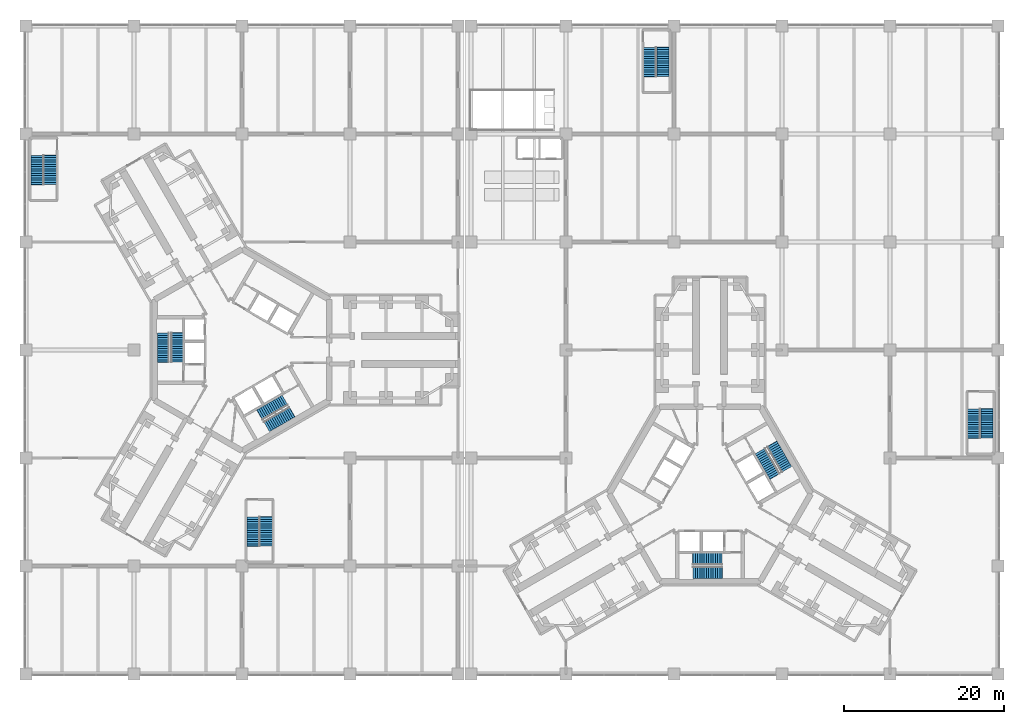
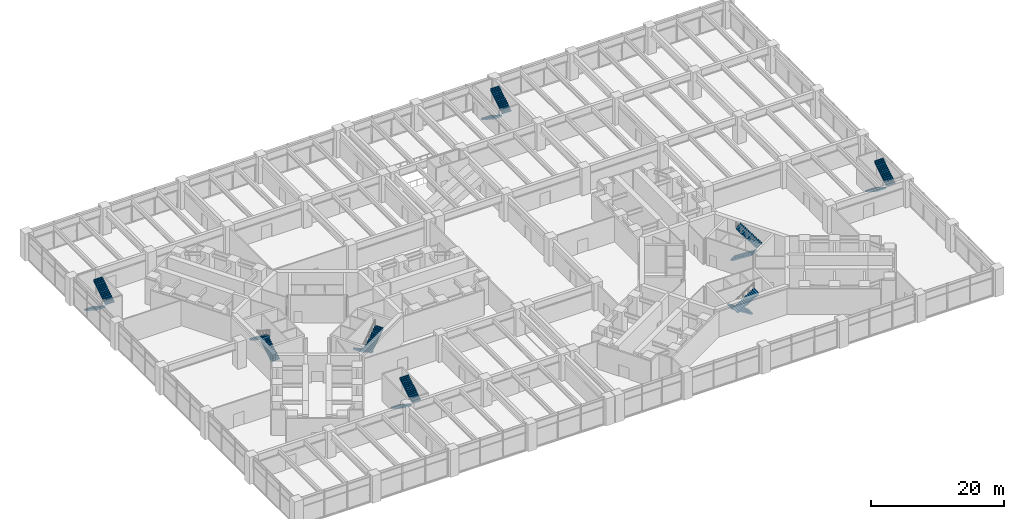
# One storey, part 29 of 32: 16 stair flights, 8 elements without a shape of their own.
"""IFC4 building model written with IfcOpenShell, lengths in metres."""

from ifc_helpers import new_model, si_unit, direction, frame, origin, place, context, subcontext, project, spatial, polyline, outline, extrude, material, type_object, element, aggregate, save


model = new_model("IFC4")

# Units and contexts
model_context = context("Model", 3, precision=1e-05, world=origin(), true_north=direction((0.0, 1.0)))
body_context = subcontext(model_context, "Body", "Model", "MODEL_VIEW")
ifc_project = project(units=[si_unit("LENGTHUNIT", "METRE"), si_unit("AREAUNIT", "SQUARE_METRE"), si_unit("VOLUMEUNIT", "CUBIC_METRE"), si_unit("PLANEANGLEUNIT", "RADIAN"), si_unit("MASSUNIT", "GRAM", prefix="KILO")], contexts=[model_context])

# Site, building, storey
site_placement = place(None, origin())
site = spatial("IfcSite", under=ifc_project, at=site_placement, CompositionType="ELEMENT")
building_placement = place(site_placement, origin())
building = spatial("IfcBuilding", under=site, at=building_placement, Name="Upepo Twin Towers", CompositionType="ELEMENT")
storey_placement = place(building_placement, frame((0.0, 0.0, 10.5)))
storey = spatial("IfcBuildingStorey", under=building, at=storey_placement, Name="L02", CompositionType="ELEMENT", Elevation=10.5)

# Stair, stair flights
ifc_material_1 = material(Name="Concrete C40/50", Category="concrete")
stair_type_1 = type_object("IfcStairType", Name="Podium stair, two flights", PredefinedType="HALF_TURN_STAIR", material=ifc_material_1)
stair_1_placement = place(storey_placement, origin())
stair_1 = element("IfcStair", 1, at=stair_1_placement, inside=storey, type_object=stair_type_1, Name="Podium stair PS1 L02", PredefinedType="HALF_TURN_STAIR")
ifc_material_2 = material(Name="Concrete C40/50", Category="concrete")
stair_flight_type_1 = type_object("IfcStairFlightType", Name="Podium stair flight 1550 RC", PredefinedType="STRAIGHT", material=ifc_material_2)
stair_flight_1_placement = place(storey_placement, frame((-25.625, 24.320068359375, 0.0), z_axis=(0.0, 0.0, 1.0), x_axis=(0.0, -1.0, 0.0)))
stair_flight_1 = element("IfcStairFlight", 2, at=stair_flight_1_placement, type_object=stair_flight_type_1, Name="Stair PS1 flight 1", NumberOfRisers=14, NumberOfTreads=13, PredefinedType="STRAIGHT", RiserHeight=0.178571429, TreadLength=0.28, context=body_context, shape_type="SweptSolid", body=[
    extrude(outline(polyline([(0.0, 0.0), (0.0, 0.178466796875), (0.280029296875, 0.178466796875), (0.280029296875, 0.357177734375), (0.56005859375, 0.357177734375), (0.56005859375, 0.53564453125), (0.840087890625, 0.53564453125), (0.840087890625, 0.71435546875), (1.1201171875, 0.71435546875), (1.1201171875, 0.892822265625), (1.39990234375, 0.892822265625), (1.39990234375, 1.071533203125), (1.679931640625, 1.071533203125), (1.679931640625, 1.25), (1.9599609375, 1.25), (1.9599609375, 1.428466796875), (2.239990234375, 1.428466796875), (2.239990234375, 1.607177734375), (2.52001953125, 1.607177734375), (2.52001953125, 1.78564453125), (2.800048828125, 1.78564453125), (2.800048828125, 1.96435546875), (3.080078125, 1.96435546875), (3.080078125, 2.142822265625), (3.360107421875, 2.142822265625), (3.360107421875, 2.321533203125), (3.639892578125, 2.321533203125), (3.639892578125, 2.5), (3.68994140625, 2.5), (3.68994140625, 2.1435546875), (0.328857421875, 0.0), (0.0, 0.0)])), frame((0.0, 0.77490234375, 0.0), z_axis=(0.0, -1.0, 0.0), x_axis=(1.0, 0.0, 0.0)), (0.0, 0.0, 1.0), 1.550048828125),
])
stair_flight_2_placement = place(storey_placement, frame((-23.97509765625, 20.679931640625, 2.5), z_axis=(0.0, 0.0, 1.0), x_axis=(0.0, 1.0, 0.0)))
stair_flight_2 = element("IfcStairFlight", 3, at=stair_flight_2_placement, type_object=stair_flight_type_1, Name="Stair PS1 flight 2", NumberOfRisers=14, NumberOfTreads=13, PredefinedType="STRAIGHT", RiserHeight=0.178571429, TreadLength=0.28, context=body_context, shape_type="SweptSolid", body=[
    extrude(outline(polyline([(0.0, 0.0), (0.0, 0.178466796875), (0.280029296875, 0.178466796875), (0.280029296875, 0.357177734375), (0.56005859375, 0.357177734375), (0.56005859375, 0.53564453125), (0.840087890625, 0.53564453125), (0.840087890625, 0.71435546875), (1.1201171875, 0.71435546875), (1.1201171875, 0.892822265625), (1.39990234375, 0.892822265625), (1.39990234375, 1.071533203125), (1.679931640625, 1.071533203125), (1.679931640625, 1.25), (1.9599609375, 1.25), (1.9599609375, 1.428466796875), (2.239990234375, 1.428466796875), (2.239990234375, 1.607177734375), (2.52001953125, 1.607177734375), (2.52001953125, 1.78564453125), (2.800048828125, 1.78564453125), (2.800048828125, 1.96435546875), (3.080078125, 1.96435546875), (3.080078125, 2.142822265625), (3.360107421875, 2.142822265625), (3.360107421875, 2.321533203125), (3.639892578125, 2.321533203125), (3.639892578125, 2.5), (3.68994140625, 2.5), (3.68994140625, 2.1435546875), (0.328857421875, 0.0), (0.0, 0.0)])), frame((0.0, 0.77490234375, 0.0), z_axis=(0.0, -1.0, 0.0), x_axis=(1.0, 0.0, 0.0)), (0.0, 0.0, 1.0), 1.550048828125),
])
aggregate(stair_1, [stair_flight_1, stair_flight_2])

stair_2_placement = place(storey_placement, origin())
stair_2 = element("IfcStair", 4, at=stair_2_placement, inside=storey, type_object=stair_type_1, Name="Podium stair PS2 L02", PredefinedType="HALF_TURN_STAIR")
stair_flight_3_placement = place(storey_placement, frame((91.47509765625, -7.3798828125, 0.0), z_axis=(0.0, 0.0, 1.0), x_axis=(0.0, -1.0, 0.0)))
stair_flight_3 = element("IfcStairFlight", 5, at=stair_flight_3_placement, type_object=stair_flight_type_1, Name="Stair PS2 flight 1", NumberOfRisers=14, NumberOfTreads=13, PredefinedType="STRAIGHT", RiserHeight=0.178571429, TreadLength=0.28, context=body_context, shape_type="SweptSolid", body=[
    extrude(outline(polyline([(0.0, 0.0), (0.0, 0.178466796875), (0.280029296875, 0.178466796875), (0.280029296875, 0.357177734375), (0.56005859375, 0.357177734375), (0.56005859375, 0.53564453125), (0.840087890625, 0.53564453125), (0.840087890625, 0.71435546875), (1.1201171875, 0.71435546875), (1.1201171875, 0.892822265625), (1.39990234375, 0.892822265625), (1.39990234375, 1.071533203125), (1.679931640625, 1.071533203125), (1.679931640625, 1.25), (1.9599609375, 1.25), (1.9599609375, 1.428466796875), (2.239990234375, 1.428466796875), (2.239990234375, 1.607177734375), (2.52001953125, 1.607177734375), (2.52001953125, 1.78564453125), (2.800048828125, 1.78564453125), (2.800048828125, 1.96435546875), (3.080078125, 1.96435546875), (3.080078125, 2.142822265625), (3.360107421875, 2.142822265625), (3.360107421875, 2.321533203125), (3.639892578125, 2.321533203125), (3.639892578125, 2.5), (3.68994140625, 2.5), (3.68994140625, 2.1435546875), (0.328857421875, 0.0), (0.0, 0.0)])), frame((0.0, 0.77490234375, 0.0), z_axis=(0.0, -1.0, 0.0), x_axis=(1.0, 0.0, 0.0)), (0.0, 0.0, 1.0), 1.550048828125),
])
stair_flight_4_placement = place(storey_placement, frame((93.125, -11.02001953125, 2.5), z_axis=(0.0, 0.0, 1.0), x_axis=(0.0, 1.0, 0.0)))
stair_flight_4 = element("IfcStairFlight", 6, at=stair_flight_4_placement, type_object=stair_flight_type_1, Name="Stair PS2 flight 2", NumberOfRisers=14, NumberOfTreads=13, PredefinedType="STRAIGHT", RiserHeight=0.178571429, TreadLength=0.28, context=body_context, shape_type="SweptSolid", body=[
    extrude(outline(polyline([(0.0, 0.0), (0.0, 0.178466796875), (0.280029296875, 0.178466796875), (0.280029296875, 0.357177734375), (0.56005859375, 0.357177734375), (0.56005859375, 0.53564453125), (0.840087890625, 0.53564453125), (0.840087890625, 0.71435546875), (1.1201171875, 0.71435546875), (1.1201171875, 0.892822265625), (1.39990234375, 0.892822265625), (1.39990234375, 1.071533203125), (1.679931640625, 1.071533203125), (1.679931640625, 1.25), (1.9599609375, 1.25), (1.9599609375, 1.428466796875), (2.239990234375, 1.428466796875), (2.239990234375, 1.607177734375), (2.52001953125, 1.607177734375), (2.52001953125, 1.78564453125), (2.800048828125, 1.78564453125), (2.800048828125, 1.96435546875), (3.080078125, 1.96435546875), (3.080078125, 2.142822265625), (3.360107421875, 2.142822265625), (3.360107421875, 2.321533203125), (3.639892578125, 2.321533203125), (3.639892578125, 2.5), (3.68994140625, 2.5), (3.68994140625, 2.1435546875), (0.328857421875, 0.0), (0.0, 0.0)])), frame((0.0, 0.77490234375, 0.0), z_axis=(0.0, -1.0, 0.0), x_axis=(1.0, 0.0, 0.0)), (0.0, 0.0, 1.0), 1.550048828125),
])
aggregate(stair_2, [stair_flight_3, stair_flight_4])

stair_3_placement = place(storey_placement, origin())
stair_3 = element("IfcStair", 7, at=stair_3_placement, inside=storey, type_object=stair_type_1, Name="Podium stair PS3 L02", PredefinedType="HALF_TURN_STAIR")
stair_flight_5_placement = place(storey_placement, frame((1.375, -20.8798828125, 0.0), z_axis=(0.0, 0.0, 1.0), x_axis=(0.0, -1.0, 0.0)))
stair_flight_5 = element("IfcStairFlight", 8, at=stair_flight_5_placement, type_object=stair_flight_type_1, Name="Stair PS3 flight 1", NumberOfRisers=14, NumberOfTreads=13, PredefinedType="STRAIGHT", RiserHeight=0.178571429, TreadLength=0.28, context=body_context, shape_type="SweptSolid", body=[
    extrude(outline(polyline([(0.0, 0.0), (0.0, 0.178466796875), (0.280029296875, 0.178466796875), (0.280029296875, 0.357177734375), (0.56005859375, 0.357177734375), (0.56005859375, 0.53564453125), (0.840087890625, 0.53564453125), (0.840087890625, 0.71435546875), (1.1201171875, 0.71435546875), (1.1201171875, 0.892822265625), (1.39990234375, 0.892822265625), (1.39990234375, 1.071533203125), (1.679931640625, 1.071533203125), (1.679931640625, 1.25), (1.9599609375, 1.25), (1.9599609375, 1.428466796875), (2.239990234375, 1.428466796875), (2.239990234375, 1.607177734375), (2.52001953125, 1.607177734375), (2.52001953125, 1.78564453125), (2.800048828125, 1.78564453125), (2.800048828125, 1.96435546875), (3.080078125, 1.96435546875), (3.080078125, 2.142822265625), (3.360107421875, 2.142822265625), (3.360107421875, 2.321533203125), (3.639892578125, 2.321533203125), (3.639892578125, 2.5), (3.68994140625, 2.5), (3.68994140625, 2.1435546875), (0.328857421875, 0.0), (0.0, 0.0)])), frame((0.0, 0.77490234375, 0.0), z_axis=(0.0, -1.0, 0.0), x_axis=(1.0, 0.0, 0.0)), (0.0, 0.0, 1.0), 1.550048828125),
])
stair_flight_6_placement = place(storey_placement, frame((3.02490234375, -24.52001953125, 2.5), z_axis=(0.0, 0.0, 1.0), x_axis=(0.0, 1.0, 0.0)))
stair_flight_6 = element("IfcStairFlight", 9, at=stair_flight_6_placement, type_object=stair_flight_type_1, Name="Stair PS3 flight 2", NumberOfRisers=14, NumberOfTreads=13, PredefinedType="STRAIGHT", RiserHeight=0.178571429, TreadLength=0.28, context=body_context, shape_type="SweptSolid", body=[
    extrude(outline(polyline([(0.0, 0.0), (0.0, 0.178466796875), (0.280029296875, 0.178466796875), (0.280029296875, 0.357177734375), (0.56005859375, 0.357177734375), (0.56005859375, 0.53564453125), (0.840087890625, 0.53564453125), (0.840087890625, 0.71435546875), (1.1201171875, 0.71435546875), (1.1201171875, 0.892822265625), (1.39990234375, 0.892822265625), (1.39990234375, 1.071533203125), (1.679931640625, 1.071533203125), (1.679931640625, 1.25), (1.9599609375, 1.25), (1.9599609375, 1.428466796875), (2.239990234375, 1.428466796875), (2.239990234375, 1.607177734375), (2.52001953125, 1.607177734375), (2.52001953125, 1.78564453125), (2.800048828125, 1.78564453125), (2.800048828125, 1.96435546875), (3.080078125, 1.96435546875), (3.080078125, 2.142822265625), (3.360107421875, 2.142822265625), (3.360107421875, 2.321533203125), (3.639892578125, 2.321533203125), (3.639892578125, 2.5), (3.68994140625, 2.5), (3.68994140625, 2.1435546875), (0.328857421875, 0.0), (0.0, 0.0)])), frame((0.0, 0.77490234375, 0.0), z_axis=(0.0, -1.0, 0.0), x_axis=(1.0, 0.0, 0.0)), (0.0, 0.0, 1.0), 1.550048828125),
])
aggregate(stair_3, [stair_flight_5, stair_flight_6])

stair_4_placement = place(storey_placement, origin())
stair_4 = element("IfcStair", 10, at=stair_4_placement, inside=storey, type_object=stair_type_1, Name="Podium stair PS4 L02", PredefinedType="HALF_TURN_STAIR")
stair_flight_7_placement = place(storey_placement, frame((50.97509765625, 37.820068359375, 0.0), z_axis=(0.0, 0.0, 1.0), x_axis=(0.0, -1.0, 0.0)))
stair_flight_7 = element("IfcStairFlight", 11, at=stair_flight_7_placement, type_object=stair_flight_type_1, Name="Stair PS4 flight 1", NumberOfRisers=14, NumberOfTreads=13, PredefinedType="STRAIGHT", RiserHeight=0.178571429, TreadLength=0.28, context=body_context, shape_type="SweptSolid", body=[
    extrude(outline(polyline([(0.0, 0.0), (0.0, 0.178466796875), (0.280029296875, 0.178466796875), (0.280029296875, 0.357177734375), (0.56005859375, 0.357177734375), (0.56005859375, 0.53564453125), (0.840087890625, 0.53564453125), (0.840087890625, 0.71435546875), (1.1201171875, 0.71435546875), (1.1201171875, 0.892822265625), (1.39990234375, 0.892822265625), (1.39990234375, 1.071533203125), (1.679931640625, 1.071533203125), (1.679931640625, 1.25), (1.9599609375, 1.25), (1.9599609375, 1.428466796875), (2.239990234375, 1.428466796875), (2.239990234375, 1.607177734375), (2.52001953125, 1.607177734375), (2.52001953125, 1.78564453125), (2.800048828125, 1.78564453125), (2.800048828125, 1.96435546875), (3.080078125, 1.96435546875), (3.080078125, 2.142822265625), (3.360107421875, 2.142822265625), (3.360107421875, 2.321533203125), (3.639892578125, 2.321533203125), (3.639892578125, 2.5), (3.68994140625, 2.5), (3.68994140625, 2.1435546875), (0.328857421875, 0.0), (0.0, 0.0)])), frame((0.0, 0.77490234375, 0.0), z_axis=(0.0, -1.0, 0.0), x_axis=(1.0, 0.0, 0.0)), (0.0, 0.0, 1.0), 1.550048828125),
])
stair_flight_8_placement = place(storey_placement, frame((52.625, 34.179931640625, 2.5), z_axis=(0.0, 0.0, 1.0), x_axis=(0.0, 1.0, 0.0)))
stair_flight_8 = element("IfcStairFlight", 12, at=stair_flight_8_placement, type_object=stair_flight_type_1, Name="Stair PS4 flight 2", NumberOfRisers=14, NumberOfTreads=13, PredefinedType="STRAIGHT", RiserHeight=0.178571429, TreadLength=0.28, context=body_context, shape_type="SweptSolid", body=[
    extrude(outline(polyline([(0.0, 0.0), (0.0, 0.178466796875), (0.280029296875, 0.178466796875), (0.280029296875, 0.357177734375), (0.56005859375, 0.357177734375), (0.56005859375, 0.53564453125), (0.840087890625, 0.53564453125), (0.840087890625, 0.71435546875), (1.1201171875, 0.71435546875), (1.1201171875, 0.892822265625), (1.39990234375, 0.892822265625), (1.39990234375, 1.071533203125), (1.679931640625, 1.071533203125), (1.679931640625, 1.25), (1.9599609375, 1.25), (1.9599609375, 1.428466796875), (2.239990234375, 1.428466796875), (2.239990234375, 1.607177734375), (2.52001953125, 1.607177734375), (2.52001953125, 1.78564453125), (2.800048828125, 1.78564453125), (2.800048828125, 1.96435546875), (3.080078125, 1.96435546875), (3.080078125, 2.142822265625), (3.360107421875, 2.142822265625), (3.360107421875, 2.321533203125), (3.639892578125, 2.321533203125), (3.639892578125, 2.5), (3.68994140625, 2.5), (3.68994140625, 2.1435546875), (0.328857421875, 0.0), (0.0, 0.0)])), frame((0.0, 0.77490234375, 0.0), z_axis=(0.0, -1.0, 0.0), x_axis=(1.0, 0.0, 0.0)), (0.0, 0.0, 1.0), 1.550048828125),
])
aggregate(stair_4, [stair_flight_7, stair_flight_8])

ifc_material_3 = material(Name="Concrete C40/50", Category="concrete")
stair_type_2 = type_object("IfcStairType", Name="Core stair, two flights", PredefinedType="HALF_TURN_STAIR", material=ifc_material_3)
stair_5_placement = place(storey_placement, origin())
stair_5 = element("IfcStair", 13, at=stair_5_placement, inside=storey, type_object=stair_type_2, Name="T1 stair S1 L02", PredefinedType="HALF_TURN_STAIR")
ifc_material_4 = material(Name="Concrete C40/50", Category="concrete")
stair_flight_type_2 = type_object("IfcStairFlightType", Name="Stair flight 1450 RC", PredefinedType="STRAIGHT", material=ifc_material_4)
stair_flight_9_placement = place(storey_placement, frame((-8.125, -1.52001953125, 0.0), z_axis=(0.0, 0.0, 1.0), x_axis=(0.0, 1.0, 0.0)))
stair_flight_9 = element("IfcStairFlight", 14, at=stair_flight_9_placement, type_object=stair_flight_type_2, Name="Stair S1 flight 1", NumberOfRisers=14, NumberOfTreads=13, PredefinedType="STRAIGHT", RiserHeight=0.178571429, TreadLength=0.28, context=body_context, shape_type="SweptSolid", body=[
    extrude(outline(polyline([(0.0, 0.0), (0.0, 0.178466796875), (0.280029296875, 0.178466796875), (0.280029296875, 0.357177734375), (0.56005859375, 0.357177734375), (0.56005859375, 0.53564453125), (0.840087890625, 0.53564453125), (0.840087890625, 0.71435546875), (1.1201171875, 0.71435546875), (1.1201171875, 0.892822265625), (1.39990234375, 0.892822265625), (1.39990234375, 1.071533203125), (1.679931640625, 1.071533203125), (1.679931640625, 1.25), (1.9599609375, 1.25), (1.9599609375, 1.428466796875), (2.239990234375, 1.428466796875), (2.239990234375, 1.607177734375), (2.52001953125, 1.607177734375), (2.52001953125, 1.78564453125), (2.800048828125, 1.78564453125), (2.800048828125, 1.96435546875), (3.080078125, 1.96435546875), (3.080078125, 2.142822265625), (3.360107421875, 2.142822265625), (3.360107421875, 2.321533203125), (3.639892578125, 2.321533203125), (3.639892578125, 2.5), (3.68994140625, 2.5), (3.68994140625, 2.1435546875), (0.328857421875, 0.0), (0.0, 0.0)])), frame((0.0, 0.72509765625, 0.0), z_axis=(0.0, -1.0, 0.0), x_axis=(1.0, 0.0, 0.0)), (0.0, 0.0, 1.0), 1.449951171875),
])
stair_flight_10_placement = place(storey_placement, frame((-9.833251953125, 2.1201171875, 2.5), z_axis=(0.0, 0.0, 1.0), x_axis=(0.0, -1.0, 0.0)))
stair_flight_10 = element("IfcStairFlight", 15, at=stair_flight_10_placement, type_object=stair_flight_type_2, Name="Stair S1 flight 2", NumberOfRisers=14, NumberOfTreads=13, PredefinedType="STRAIGHT", RiserHeight=0.178571429, TreadLength=0.28, context=body_context, shape_type="SweptSolid", body=[
    extrude(outline(polyline([(0.0, 0.0), (0.0, 0.178466796875), (0.280029296875, 0.178466796875), (0.280029296875, 0.357177734375), (0.56005859375, 0.357177734375), (0.56005859375, 0.53564453125), (0.840087890625, 0.53564453125), (0.840087890625, 0.71435546875), (1.1201171875, 0.71435546875), (1.1201171875, 0.892822265625), (1.39990234375, 0.892822265625), (1.39990234375, 1.071533203125), (1.679931640625, 1.071533203125), (1.679931640625, 1.25), (1.9599609375, 1.25), (1.9599609375, 1.428466796875), (2.239990234375, 1.428466796875), (2.239990234375, 1.607177734375), (2.52001953125, 1.607177734375), (2.52001953125, 1.78564453125), (2.800048828125, 1.78564453125), (2.800048828125, 1.96435546875), (3.080078125, 1.96435546875), (3.080078125, 2.142822265625), (3.360107421875, 2.142822265625), (3.360107421875, 2.321533203125), (3.639892578125, 2.321533203125), (3.639892578125, 2.5), (3.68994140625, 2.5), (3.68994140625, 2.1435546875), (0.328857421875, 0.0), (0.0, 0.0)])), frame((0.0, 0.72509765625, 0.0), z_axis=(0.0, -1.0, 0.0), x_axis=(1.0, 0.0, 0.0)), (0.0, 0.0, 1.0), 1.449951171875),
])
aggregate(stair_5, [stair_flight_9, stair_flight_10])

stair_6_placement = place(storey_placement, origin())
stair_6 = element("IfcStair", 16, at=stair_6_placement, inside=storey, type_object=stair_type_2, Name="T1 stair S2 L02", PredefinedType="HALF_TURN_STAIR")
stair_flight_11_placement = place(storey_placement, frame((5.37890625, -6.2763671875, 0.0), z_axis=(0.0, 0.0, 1.0), x_axis=(-0.866025403784, -0.5, 0.0)))
stair_flight_11 = element("IfcStairFlight", 17, at=stair_flight_11_placement, type_object=stair_flight_type_2, Name="Stair S2 flight 1", NumberOfRisers=14, NumberOfTreads=13, PredefinedType="STRAIGHT", RiserHeight=0.178571429, TreadLength=0.28, context=body_context, shape_type="SweptSolid", body=[
    extrude(outline(polyline([(0.0, 0.0), (0.0, 0.178466796875), (0.280029296875, 0.178466796875), (0.280029296875, 0.357177734375), (0.56005859375, 0.357177734375), (0.56005859375, 0.53564453125), (0.840087890625, 0.53564453125), (0.840087890625, 0.71435546875), (1.1201171875, 0.71435546875), (1.1201171875, 0.892822265625), (1.39990234375, 0.892822265625), (1.39990234375, 1.071533203125), (1.679931640625, 1.071533203125), (1.679931640625, 1.25), (1.9599609375, 1.25), (1.9599609375, 1.428466796875), (2.239990234375, 1.428466796875), (2.239990234375, 1.607177734375), (2.52001953125, 1.607177734375), (2.52001953125, 1.78564453125), (2.800048828125, 1.78564453125), (2.800048828125, 1.96435546875), (3.080078125, 1.96435546875), (3.080078125, 2.142822265625), (3.360107421875, 2.142822265625), (3.360107421875, 2.321533203125), (3.639892578125, 2.321533203125), (3.639892578125, 2.5), (3.68994140625, 2.5), (3.68994140625, 2.1435546875), (0.328857421875, 0.0), (0.0, 0.0)])), frame((0.0, 0.72509765625, 0.0), z_axis=(0.0, -1.0, 0.0), x_axis=(1.0, 0.0, 0.0)), (0.0, 0.0, 1.0), 1.449951171875),
])
stair_flight_12_placement = place(storey_placement, frame((3.080810546875, -9.575927734375, 2.5), z_axis=(0.0, 0.0, 1.0), x_axis=(0.866025403784, 0.5, 0.0)))
stair_flight_12 = element("IfcStairFlight", 18, at=stair_flight_12_placement, type_object=stair_flight_type_2, Name="Stair S2 flight 2", NumberOfRisers=14, NumberOfTreads=13, PredefinedType="STRAIGHT", RiserHeight=0.178571429, TreadLength=0.28, context=body_context, shape_type="SweptSolid", body=[
    extrude(outline(polyline([(0.0, 0.0), (0.0, 0.178466796875), (0.280029296875, 0.178466796875), (0.280029296875, 0.357177734375), (0.56005859375, 0.357177734375), (0.56005859375, 0.53564453125), (0.840087890625, 0.53564453125), (0.840087890625, 0.71435546875), (1.1201171875, 0.71435546875), (1.1201171875, 0.892822265625), (1.39990234375, 0.892822265625), (1.39990234375, 1.071533203125), (1.679931640625, 1.071533203125), (1.679931640625, 1.25), (1.9599609375, 1.25), (1.9599609375, 1.428466796875), (2.239990234375, 1.428466796875), (2.239990234375, 1.607177734375), (2.52001953125, 1.607177734375), (2.52001953125, 1.78564453125), (2.800048828125, 1.78564453125), (2.800048828125, 1.96435546875), (3.080078125, 1.96435546875), (3.080078125, 2.142822265625), (3.360107421875, 2.142822265625), (3.360107421875, 2.321533203125), (3.639892578125, 2.321533203125), (3.639892578125, 2.5), (3.68994140625, 2.5), (3.68994140625, 2.1435546875), (0.328857421875, 0.0), (0.0, 0.0)])), frame((0.0, 0.72509765625, 0.0), z_axis=(0.0, -1.0, 0.0), x_axis=(1.0, 0.0, 0.0)), (0.0, 0.0, 1.0), 1.449951171875),
])
aggregate(stair_6, [stair_flight_11, stair_flight_12])

stair_7_placement = place(storey_placement, origin())
stair_7 = element("IfcStair", 19, at=stair_7_placement, inside=storey, type_object=stair_type_2, Name="T2 stair S1 L02", PredefinedType="HALF_TURN_STAIR")
stair_flight_13_placement = place(storey_placement, frame((60.02001953125, -26.125, 0.0), z_axis=(0.0, 0.0, 1.0), x_axis=(-1.0, 0.0, 0.0)))
stair_flight_13 = element("IfcStairFlight", 20, at=stair_flight_13_placement, type_object=stair_flight_type_2, Name="Stair S1 flight 1", NumberOfRisers=14, NumberOfTreads=13, PredefinedType="STRAIGHT", RiserHeight=0.178571429, TreadLength=0.28, context=body_context, shape_type="SweptSolid", body=[
    extrude(outline(polyline([(0.0, 0.0), (0.0, 0.178466796875), (0.280029296875, 0.178466796875), (0.280029296875, 0.357177734375), (0.56005859375, 0.357177734375), (0.56005859375, 0.53564453125), (0.840087890625, 0.53564453125), (0.840087890625, 0.71435546875), (1.1201171875, 0.71435546875), (1.1201171875, 0.892822265625), (1.39990234375, 0.892822265625), (1.39990234375, 1.071533203125), (1.679931640625, 1.071533203125), (1.679931640625, 1.25), (1.9599609375, 1.25), (1.9599609375, 1.428466796875), (2.239990234375, 1.428466796875), (2.239990234375, 1.607177734375), (2.52001953125, 1.607177734375), (2.52001953125, 1.78564453125), (2.800048828125, 1.78564453125), (2.800048828125, 1.96435546875), (3.080078125, 1.96435546875), (3.080078125, 2.142822265625), (3.360107421875, 2.142822265625), (3.360107421875, 2.321533203125), (3.639892578125, 2.321533203125), (3.639892578125, 2.5), (3.68994140625, 2.5), (3.68994140625, 2.1435546875), (0.328857421875, 0.0), (0.0, 0.0)])), frame((0.0, 0.72509765625, 0.0), z_axis=(0.0, -1.0, 0.0), x_axis=(1.0, 0.0, 0.0)), (0.0, 0.0, 1.0), 1.449951171875),
])
stair_flight_14_placement = place(storey_placement, frame((56.3798828125, -27.833251953125, 2.5), z_axis=(0.0, 0.0, 1.0), x_axis=(1.0, 0.0, 0.0)))
stair_flight_14 = element("IfcStairFlight", 21, at=stair_flight_14_placement, type_object=stair_flight_type_2, Name="Stair S1 flight 2", NumberOfRisers=14, NumberOfTreads=13, PredefinedType="STRAIGHT", RiserHeight=0.178571429, TreadLength=0.28, context=body_context, shape_type="SweptSolid", body=[
    extrude(outline(polyline([(0.0, 0.0), (0.0, 0.178466796875), (0.280029296875, 0.178466796875), (0.280029296875, 0.357177734375), (0.56005859375, 0.357177734375), (0.56005859375, 0.53564453125), (0.840087890625, 0.53564453125), (0.840087890625, 0.71435546875), (1.1201171875, 0.71435546875), (1.1201171875, 0.892822265625), (1.39990234375, 0.892822265625), (1.39990234375, 1.071533203125), (1.679931640625, 1.071533203125), (1.679931640625, 1.25), (1.9599609375, 1.25), (1.9599609375, 1.428466796875), (2.239990234375, 1.428466796875), (2.239990234375, 1.607177734375), (2.52001953125, 1.607177734375), (2.52001953125, 1.78564453125), (2.800048828125, 1.78564453125), (2.800048828125, 1.96435546875), (3.080078125, 1.96435546875), (3.080078125, 2.142822265625), (3.360107421875, 2.142822265625), (3.360107421875, 2.321533203125), (3.639892578125, 2.321533203125), (3.639892578125, 2.5), (3.68994140625, 2.5), (3.68994140625, 2.1435546875), (0.328857421875, 0.0), (0.0, 0.0)])), frame((0.0, 0.72509765625, 0.0), z_axis=(0.0, -1.0, 0.0), x_axis=(1.0, 0.0, 0.0)), (0.0, 0.0, 1.0), 1.449951171875),
])
aggregate(stair_7, [stair_flight_13, stair_flight_14])

stair_8_placement = place(storey_placement, origin())
stair_8 = element("IfcStair", 22, at=stair_8_placement, inside=storey, type_object=stair_type_2, Name="T2 stair S2 L02", PredefinedType="HALF_TURN_STAIR")
stair_flight_15_placement = place(storey_placement, frame((64.7763671875, -12.62109375, 0.0), z_axis=(0.0, 0.0, 1.0), x_axis=(0.5, -0.866025403784, 0.0)))
stair_flight_15 = element("IfcStairFlight", 23, at=stair_flight_15_placement, type_object=stair_flight_type_2, Name="Stair S2 flight 1", NumberOfRisers=14, NumberOfTreads=13, PredefinedType="STRAIGHT", RiserHeight=0.178571429, TreadLength=0.28, context=body_context, shape_type="SweptSolid", body=[
    extrude(outline(polyline([(0.0, 0.0), (0.0, 0.178466796875), (0.280029296875, 0.178466796875), (0.280029296875, 0.357177734375), (0.56005859375, 0.357177734375), (0.56005859375, 0.53564453125), (0.840087890625, 0.53564453125), (0.840087890625, 0.71435546875), (1.1201171875, 0.71435546875), (1.1201171875, 0.892822265625), (1.39990234375, 0.892822265625), (1.39990234375, 1.071533203125), (1.679931640625, 1.071533203125), (1.679931640625, 1.25), (1.9599609375, 1.25), (1.9599609375, 1.428466796875), (2.239990234375, 1.428466796875), (2.239990234375, 1.607177734375), (2.52001953125, 1.607177734375), (2.52001953125, 1.78564453125), (2.800048828125, 1.78564453125), (2.800048828125, 1.96435546875), (3.080078125, 1.96435546875), (3.080078125, 2.142822265625), (3.360107421875, 2.142822265625), (3.360107421875, 2.321533203125), (3.639892578125, 2.321533203125), (3.639892578125, 2.5), (3.68994140625, 2.5), (3.68994140625, 2.1435546875), (0.328857421875, 0.0), (0.0, 0.0)])), frame((0.0, 0.72509765625, 0.0), z_axis=(0.0, -1.0, 0.0), x_axis=(1.0, 0.0, 0.0)), (0.0, 0.0, 1.0), 1.449951171875),
])
stair_flight_16_placement = place(storey_placement, frame((68.075927734375, -14.919189453125, 2.5), z_axis=(0.0, 0.0, 1.0), x_axis=(-0.5, 0.866025403784, 0.0)))
stair_flight_16 = element("IfcStairFlight", 24, at=stair_flight_16_placement, type_object=stair_flight_type_2, Name="Stair S2 flight 2", NumberOfRisers=14, NumberOfTreads=13, PredefinedType="STRAIGHT", RiserHeight=0.178571429, TreadLength=0.28, context=body_context, shape_type="SweptSolid", body=[
    extrude(outline(polyline([(0.0, 0.0), (0.0, 0.178466796875), (0.280029296875, 0.178466796875), (0.280029296875, 0.357177734375), (0.56005859375, 0.357177734375), (0.56005859375, 0.53564453125), (0.840087890625, 0.53564453125), (0.840087890625, 0.71435546875), (1.1201171875, 0.71435546875), (1.1201171875, 0.892822265625), (1.39990234375, 0.892822265625), (1.39990234375, 1.071533203125), (1.679931640625, 1.071533203125), (1.679931640625, 1.25), (1.9599609375, 1.25), (1.9599609375, 1.428466796875), (2.239990234375, 1.428466796875), (2.239990234375, 1.607177734375), (2.52001953125, 1.607177734375), (2.52001953125, 1.78564453125), (2.800048828125, 1.78564453125), (2.800048828125, 1.96435546875), (3.080078125, 1.96435546875), (3.080078125, 2.142822265625), (3.360107421875, 2.142822265625), (3.360107421875, 2.321533203125), (3.639892578125, 2.321533203125), (3.639892578125, 2.5), (3.68994140625, 2.5), (3.68994140625, 2.1435546875), (0.328857421875, 0.0), (0.0, 0.0)])), frame((0.0, 0.72509765625, 0.0), z_axis=(0.0, -1.0, 0.0), x_axis=(1.0, 0.0, 0.0)), (0.0, 0.0, 1.0), 1.449951171875),
])
aggregate(stair_8, [stair_flight_15, stair_flight_16])

save(model, "model.ifc")
